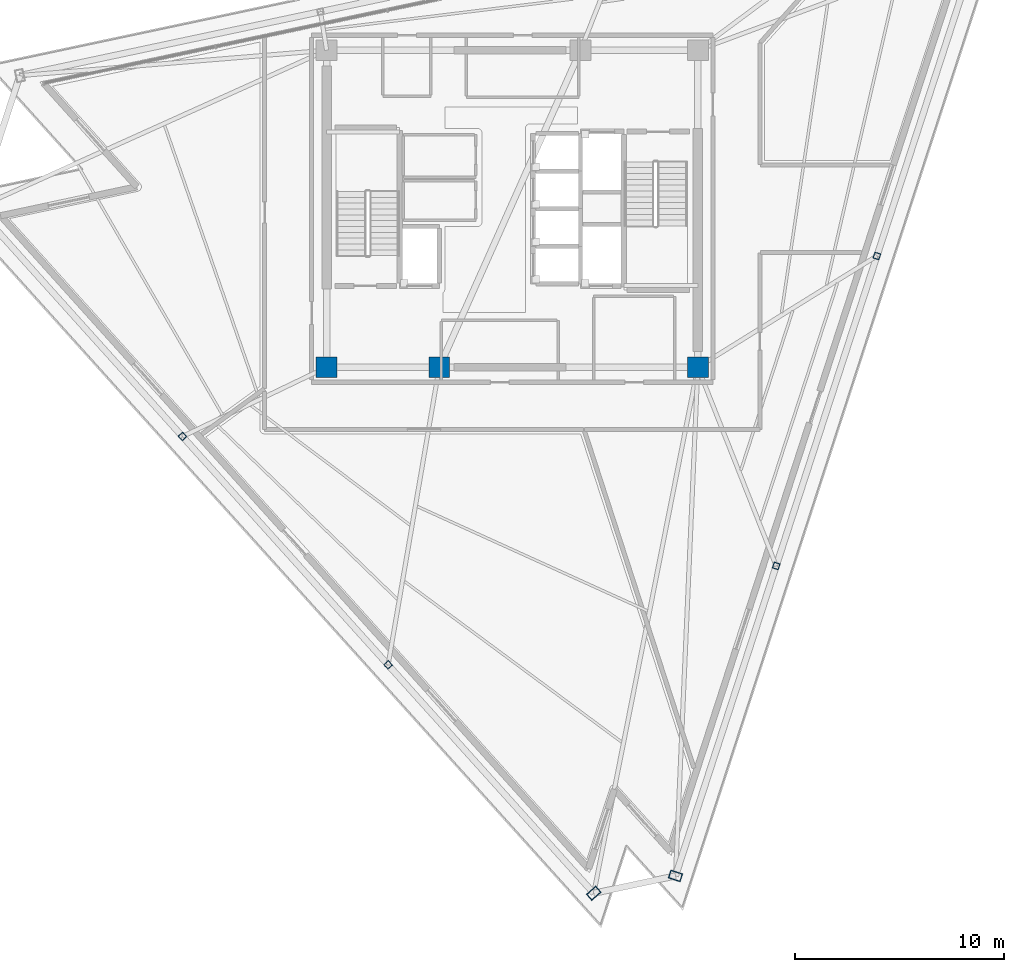
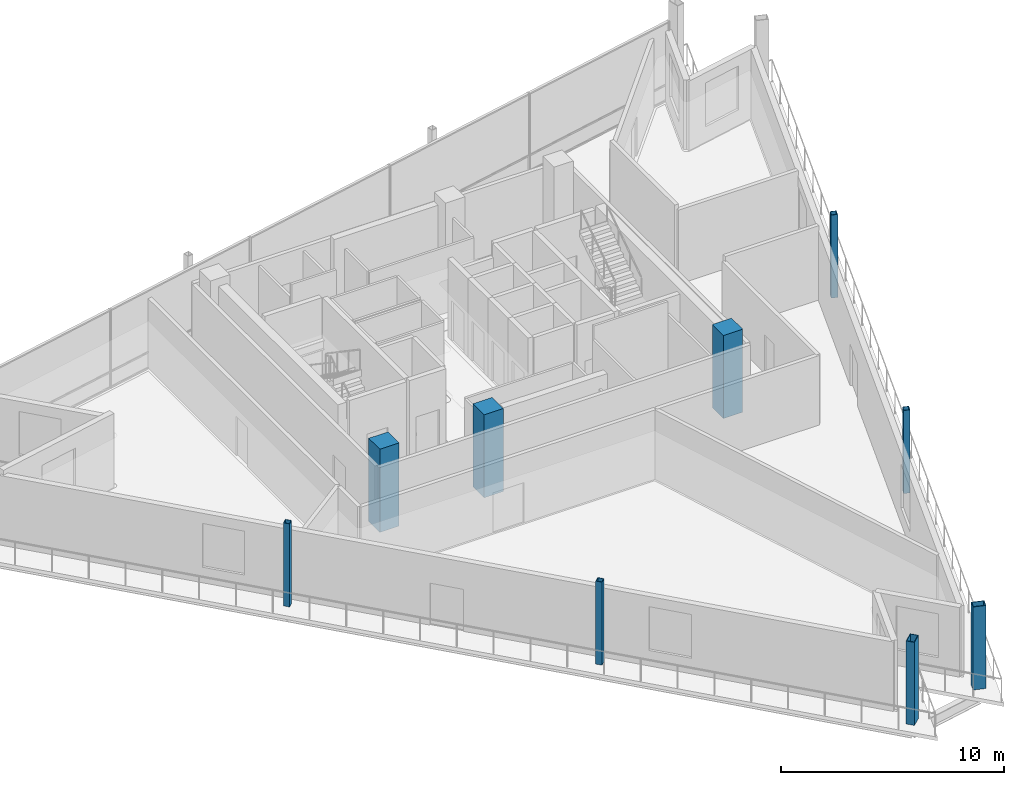
# One storey, part 1 of 11: 9 columns.
"""IFC4 building model written with IfcOpenShell, lengths in metres."""

from ifc_helpers import new_model, si_unit, direction, frame, origin, origin_2d, place, context, subcontext, project, spatial, rectangle, hollow_rectangle, extrude, material, material_profile, profile_set, type_object, element, save


model = new_model("IFC4")

# Units and contexts
model_context = context("Model", 3, precision=1e-05, world=origin(), true_north=direction((0.0, 1.0)))
body_context = subcontext(model_context, "Body", "Model", "MODEL_VIEW")
ifc_project = project(units=[si_unit("LENGTHUNIT", "METRE"), si_unit("AREAUNIT", "SQUARE_METRE"), si_unit("VOLUMEUNIT", "CUBIC_METRE"), si_unit("PLANEANGLEUNIT", "RADIAN"), si_unit("MASSUNIT", "GRAM", prefix="KILO")], contexts=[model_context])

# Site, building, storey
site_placement = place(None, origin())
site = spatial("IfcSite", under=ifc_project, at=site_placement, CompositionType="ELEMENT")
building_placement = place(site_placement, origin())
building = spatial("IfcBuilding", under=site, at=building_placement, Name="Tharavind Bronze Gate", CompositionType="ELEMENT")
storey_placement = place(building_placement, frame((0.0, 0.0, 306.300048828125)))
storey = spatial("IfcBuildingStorey", under=building, at=storey_placement, Name="L79", CompositionType="ELEMENT", Elevation=306.300048828125)

# Columns
ifc_material_1 = material(Name="Steel S460", Category="steel")
ifc_material_profile_1 = material_profile(ifc_material_1, hollow_rectangle(XDim=0.39990234375, YDim=0.60009765625, WallThickness=0.030029296875, at=origin_2d()), Name="RHS600X400X30")
ifc_profile_set_1 = profile_set([ifc_material_profile_1], Name="Steel S460")
column_type_1 = type_object("IfcColumnType", Name="CORNER NOTCH COLUMN RHS600X400", PredefinedType="COLUMN", material=ifc_profile_set_1)
for number, where, z_axis, x_axis, name in (
    (1, (3.908935546875, -32.82861328125, 0.0), (0.0, 0.0, 1.0), (-0.669130606359, 0.743144825477, 0.0), "L79 perimeter column S1C4"),
    (2, (7.829345703125, -31.99560546875, 0.0), (0.0, 0.0, 1.0), (0.309018654281, 0.951055976957, 0.0), "L79 perimeter column S2C1"),
):
    element("IfcColumn", number, at=place(storey_placement, frame(where, z_axis=z_axis, x_axis=x_axis)), inside=storey, type_object=column_type_1, Name=name, PredefinedType="COLUMN", context=body_context, shape_type="SweptSolid", body=[
        extrude(hollow_rectangle(XDim=0.39990234375, YDim=0.60009765625, WallThickness=0.030029296875, at=origin_2d()), origin(), (0.0, 0.0, 1.0), 4.550048828125),
    ])
ifc_material_2 = material(Name="Concrete C50/60", Category="concrete")
ifc_material_profile_2 = material_profile(ifc_material_2, rectangle(XDim=1.0, YDim=1.0, at=origin_2d()), Name="RCCOL1000")
ifc_profile_set_2 = profile_set([ifc_material_profile_2], Name="Concrete C50/60")
column_type_2 = type_object("IfcColumnType", Name="MEGA CORE COLUMN 1000", PredefinedType="COLUMN", material=ifc_profile_set_2)
for number, where, z_axis, x_axis, name in (
    (3, (-8.89990234375, -7.60009765625, 0.0), (0.0, 0.0, 1.0), (1.0, 0.0, 0.0), "L79 core mega column MC1"),
    (4, (-3.5, -7.60009765625, 0.0), (0.0, 0.0, 1.0), (1.0, 0.0, 0.0), "L79 core mega column MC2"),
    (5, (8.89990234375, -7.60009765625, 0.0), (0.0, 0.0, 1.0), (1.0, 0.0, 0.0), "L79 core mega column MC3"),
):
    element("IfcColumn", number, at=place(storey_placement, frame(where, z_axis=z_axis, x_axis=x_axis)), inside=storey, type_object=column_type_2, Name=name, PredefinedType="COLUMN", context=body_context, shape_type="SweptSolid", body=[
        extrude(rectangle(XDim=1.0, YDim=1.0, at=origin_2d()), origin(), (0.0, 0.0, 1.0), 4.550048828125),
    ])
ifc_material_profile_3 = material_profile(ifc_material_1, hollow_rectangle(XDim=0.300048828125, YDim=0.300048828125, WallThickness=0.02001953125, at=origin_2d()), Name="SHS300X20")
ifc_profile_set_3 = profile_set([ifc_material_profile_3], Name="Steel S460")
column_type_3 = type_object("IfcColumnType", Name="PERIMETER BOX COLUMN SHS300", PredefinedType="COLUMN", material=ifc_profile_set_3)
for number, where, z_axis, x_axis, name in (
    (6, (-15.816162109375, -10.921875, 0.0), (0.0, 0.0, 1.0), (-0.669130606359, 0.743144825477, 0.0), "L79 perimeter column S1C2"),
    (7, (-5.95361328125, -21.875244140625, 0.0), (0.0, 0.0, 1.0), (-0.669130606359, 0.743144825477, 0.0), "L79 perimeter column S1C3"),
    (8, (12.6591796875, -17.130615234375, 0.0), (0.0, 0.0, 1.0), (0.309018654281, 0.951055976957, 0.0), "L79 perimeter column S2C2"),
    (9, (17.4892578125, -2.265380859375, 0.0), (0.0, 0.0, 1.0), (0.309018654281, 0.951055976957, 0.0), "L79 perimeter column S2C3"),
):
    element("IfcColumn", number, at=place(storey_placement, frame(where, z_axis=z_axis, x_axis=x_axis)), inside=storey, type_object=column_type_3, Name=name, PredefinedType="COLUMN", context=body_context, shape_type="SweptSolid", body=[
        extrude(hollow_rectangle(XDim=0.300048828125, YDim=0.300048828125, WallThickness=0.02001953125, at=origin_2d()), origin(), (0.0, 0.0, 1.0), 4.550048828125),
    ])

save(model, "model.ifc")
